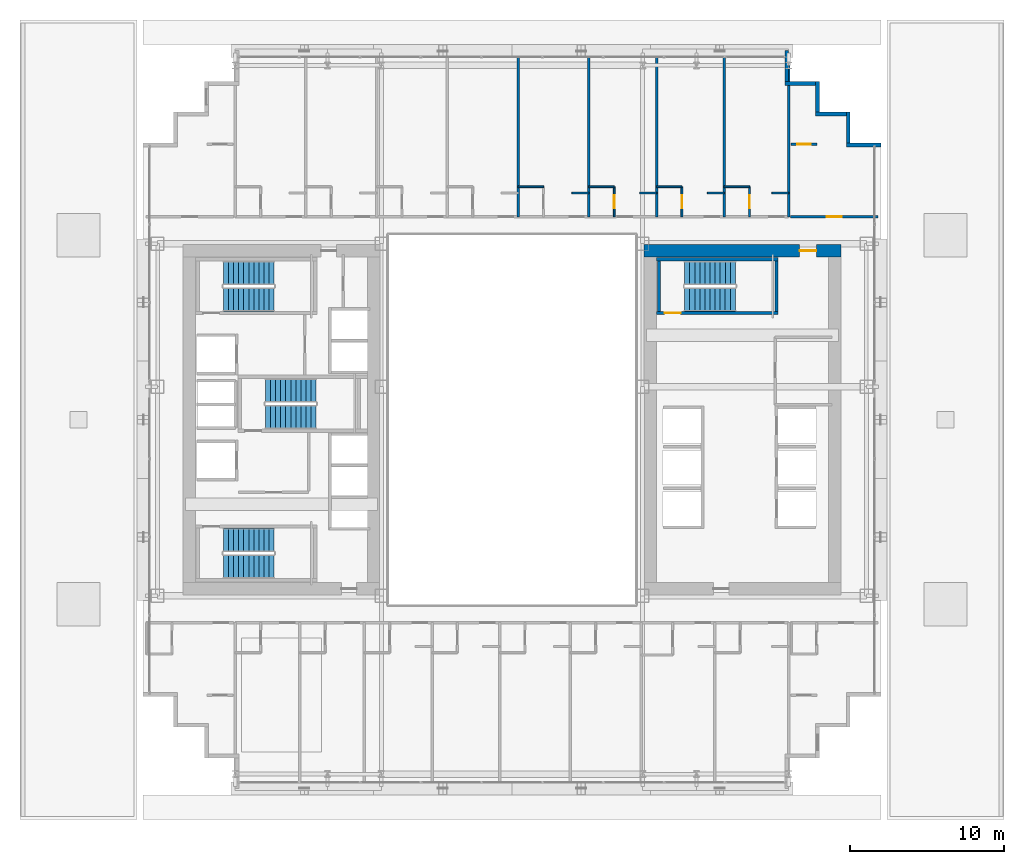
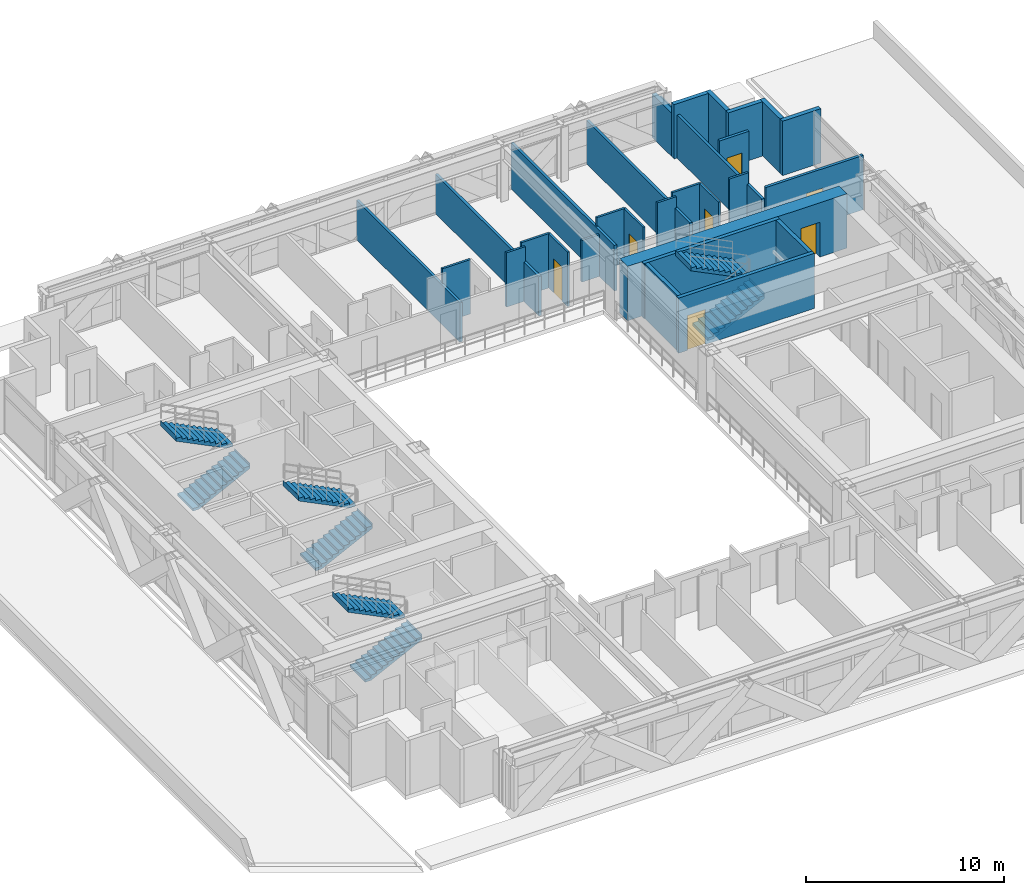
# One storey, part 30 of 35: 29 walls, 8 stair flights, 7 doors, 7 openings, 4 elements without a shape of their own.
"""IFC4 building model written with IfcOpenShell, lengths in metres."""

from ifc_helpers import new_model, si_unit, direction, frame, frame_2d, origin, place, context, subcontext, project, spatial, polyline, rectangle, outline, extrude, source, transform, mapped, material, layer, layer_set, type_object, element, fill, aggregate, save


model = new_model("IFC4")

# Units and contexts
model_context = context("Model", 3, precision=1e-05, world=origin(), true_north=direction((0.0, 1.0)))
body_context = subcontext(model_context, "Body", "Model", "MODEL_VIEW")
ifc_project = project(units=[si_unit("LENGTHUNIT", "METRE"), si_unit("AREAUNIT", "SQUARE_METRE"), si_unit("VOLUMEUNIT", "CUBIC_METRE"), si_unit("PLANEANGLEUNIT", "RADIAN"), si_unit("MASSUNIT", "GRAM", prefix="KILO")], contexts=[model_context])

# Site, building, storey
site_placement = place(None, origin())
site = spatial("IfcSite", under=ifc_project, at=site_placement, CompositionType="ELEMENT")
building_placement = place(site_placement, origin())
building = spatial("IfcBuilding", under=site, at=building_placement, Name="Ocotamira Hotel", CompositionType="ELEMENT")
storey_placement = place(building_placement, frame((0.0, 0.0, 34.800048828125)))
storey = spatial("IfcBuildingStorey", under=building, at=storey_placement, Name="L07", CompositionType="ELEMENT", Elevation=34.800048828125)

# Wall, opening, door
ifc_material_1 = material(Name="Concrete C60/75", Category="concrete")
ifc_layer_1 = layer(ifc_material_1, 0.800048828125)
ifc_layer_set_1 = layer_set([ifc_layer_1], Name="Concrete C60/75")
wall_type_1 = type_object("IfcWallType", Name="WL-CORE-800", PredefinedType="SHEAR", material=ifc_layer_set_1)
wall_1_placement = place(storey_placement, frame((40.60009765625, 37.0, 0.0), z_axis=(0.0, 0.0, 1.0), x_axis=(1.0, 0.0, 0.0)))
wall_1 = element("IfcWall", 1, at=wall_1_placement, inside=storey, type_object=wall_type_1, Name="L07 Shear Core Wall ECORE-N", PredefinedType="SHEAR", context=body_context, shape_type="SweptSolid", body=[
    extrude(rectangle(XDim=12.7998046875, YDim=0.800048828125, at=frame_2d((6.39990234375, 0.0))), origin(), (0.0, 0.0, 1.0), 3.349853515625),
])
opening_1_placement = place(wall_1_placement, frame((10.10009765625, 0.0, 0.0)))
opening_1 = element("IfcOpeningElement", 2, at=opening_1_placement, cuts=wall_1, Name="Opening D-FR1", PredefinedType="OPENING", context=body_context, shape_type="SweptSolid", body=[
    extrude(rectangle(XDim=1.10009765625, YDim=2.14990234375, at=frame_2d((0.550048828125, 1.074951171875))), frame((0.0, 0.41015625, 0.0), z_axis=(0.0, -1.0, 0.0), x_axis=(1.0, 0.0, 0.0)), (0.0, 0.0, 1.0), 0.820068359375),
])
ifc_material_2 = material(Name="Fire-rated acoustic timber-veneer door", Category="wood")
door_type_1 = type_object("IfcDoorType", Name="DR-FIRE-1100", OperationType="NOTDEFINED", PredefinedType="DOOR", material=ifc_material_2)
shared_shape_1 = source(origin(), body_context, "Body", "SweptSolid", [
    extrude(rectangle(XDim=1.10009765625, YDim=2.14990234375, at=frame_2d((0.550048828125, 1.074951171875))), frame((0.0, 0.02490234375, 0.0), z_axis=(0.0, -1.0, 0.0), x_axis=(1.0, 0.0, 0.0)), (0.0, 0.0, 1.0), 0.050048828125),
])
door_1_placement = place(opening_1_placement, origin())
door_1 = element("IfcDoor", 3, at=door_1_placement, inside=storey, type_object=door_type_1, Name="L07 Door ID-L07-ELOB-N-D [ID-L07-ELOB-N-D]", OperationType="SINGLE_SWING_LEFT", OverallHeight=2.14990234375, OverallWidth=1.10009765625, PredefinedType="DOOR", context=body_context, shape_type="MappedRepresentation", body=[
    mapped(shared_shape_1, transform((0.0, 0.0, 0.0), scale=1.0)),
])
fill(opening_1, door_1)

# Walls
ifc_material_3 = material(Name="Precast concrete C45/55", Category="concrete")
ifc_layer_2 = layer(ifc_material_3, 0.25)
ifc_layer_set_2 = layer_set([ifc_layer_2], Name="Precast concrete C45/55")
wall_type_2 = type_object("IfcWallType", Name="WL-EXT-SER-250", PredefinedType="SOLIDWALL", material=ifc_layer_set_2)
wall_2_placement = place(storey_placement, frame((56.0, 43.875, 0.0), z_axis=(0.0, 0.0, 1.0), x_axis=(-1.0, 0.0, 0.0)))
element("IfcWall", 4, at=wall_2_placement, inside=storey, type_object=wall_type_2, Name="L07 Serrated Corner Wall 07", PredefinedType="SOLIDWALL", context=body_context, shape_type="SweptSolid", body=[
    extrude(rectangle(XDim=2.25, YDim=0.25, at=frame_2d((1.125, 0.0))), origin(), (0.0, 0.0, 1.0), 3.349853515625),
])
for number, where, z_axis, x_axis, name in (
    (5, (53.875, 44.0, 0.0), (0.0, 0.0, 1.0), (0.0, 1.0, 0.0), "L07 Serrated Corner Wall 08"),
    (6, (53.75, 45.875, 0.0), (0.0, 0.0, 1.0), (-1.0, 0.0, 0.0), "L07 Serrated Corner Wall 09"),
    (7, (51.875, 46.0, 0.0), (0.0, 0.0, 1.0), (0.0, 1.0, 0.0), "L07 Serrated Corner Wall 10"),
    (8, (51.75, 47.875, 0.0), (0.0, 0.0, 1.0), (-1.0, 0.0, 0.0), "L07 Serrated Corner Wall 11"),
):
    element("IfcWall", number, at=place(storey_placement, frame(where, z_axis=z_axis, x_axis=x_axis)), inside=storey, type_object=wall_type_2, Name=name, PredefinedType="SOLIDWALL", context=body_context, shape_type="SweptSolid", body=[
        extrude(rectangle(XDim=2.0, YDim=0.25, at=frame_2d((1.0, 0.0))), origin(), (0.0, 0.0, 1.0), 3.349853515625),
    ])
wall_3_placement = place(storey_placement, frame((49.875, 48.0, 0.0), z_axis=(0.0, 0.0, 1.0), x_axis=(0.0, 1.0, 0.0)))
element("IfcWall", 9, at=wall_3_placement, inside=storey, type_object=wall_type_2, Name="L07 Serrated Corner Wall 12", PredefinedType="SOLIDWALL", context=body_context, shape_type="SweptSolid", body=[
    extrude(rectangle(XDim=2.0, YDim=0.25, at=frame_2d((1.0, 0.0))), origin(), (0.0, 0.0, 1.0), 2.656982421875),
])

# Wall, opening, door
ifc_material_4 = material(Name="Acoustic double-layer fire gypsum board partition", Category="gypsum")
ifc_layer_3 = layer(ifc_material_4, 0.159912109375)
ifc_layer_set_3 = layer_set([ifc_layer_3], Name="Acoustic double-layer fire gypsum board partition")
wall_type_3 = type_object("IfcWallType", Name="WL-FIRE-160", PredefinedType="PARTITIONING", material=ifc_layer_set_3)
wall_4_placement = place(storey_placement, frame((50.1201171875, 39.199951171875, 0.0), z_axis=(0.0, 0.0, 1.0), x_axis=(1.0, 0.0, 0.0)))
wall_4 = element("IfcWall", 10, at=wall_4_placement, inside=storey, type_object=wall_type_3, Name="L07 Interior Wall PW-L07-Z1A-CNE-CW", PredefinedType="PARTITIONING", context=body_context, shape_type="SweptSolid", body=[
    extrude(rectangle(XDim=5.679931640625, YDim=0.159912109375, at=frame_2d((2.83984375, 0.0))), origin(), (0.0, 0.0, 1.0), 3.349853515625),
])
opening_2_placement = place(wall_4_placement, frame((2.360107421875, 0.0, 0.0)))
opening_2 = element("IfcOpeningElement", 11, at=opening_2_placement, cuts=wall_4, Name="Opening D-SV4", PredefinedType="OPENING", context=body_context, shape_type="SweptSolid", body=[
    extrude(rectangle(XDim=0.9599609375, YDim=2.14990234375, at=frame_2d((0.47998046875, 1.074951171875))), frame((0.0, 0.08984375, 0.0), z_axis=(0.0, -1.0, 0.0), x_axis=(1.0, 0.0, 0.0)), (0.0, 0.0, 1.0), 0.179931640625),
])
ifc_material_5 = material(Name="Fire-rated accessible walnut salon door", Category="wood")
door_type_2 = type_object("IfcDoorType", Name="DR-SERV-960", OperationType="NOTDEFINED", PredefinedType="DOOR", material=ifc_material_5)
shared_shape_2 = source(origin(), body_context, "Body", "SweptSolid", [
    extrude(rectangle(XDim=0.9599609375, YDim=2.14990234375, at=frame_2d((0.47998046875, 1.074951171875))), frame((0.0, 0.02490234375, 0.0), z_axis=(0.0, -1.0, 0.0), x_axis=(1.0, 0.0, 0.0)), (0.0, 0.0, 1.0), 0.050048828125),
])
door_2_placement = place(opening_2_placement, origin())
door_2 = element("IfcDoor", 12, at=door_2_placement, inside=storey, type_object=door_type_2, Name="L07 Door ID-L07-Z1A-CNE-CD [ID-L07-Z1A-CNE-CD]", OperationType="SINGLE_SWING_LEFT", OverallHeight=2.14990234375, OverallWidth=0.9599609375, PredefinedType="DOOR", context=body_context, shape_type="MappedRepresentation", body=[
    mapped(shared_shape_2, transform((0.0, 0.0, 0.0), scale=1.0)),
])
fill(opening_2, door_2)

wall_5_placement = place(storey_placement, frame((50.14990234375, 43.919921875, 0.0), z_axis=(0.0, 0.0, 1.0), x_axis=(1.0, 0.0, 0.0)))
wall_5 = element("IfcWall", 13, at=wall_5_placement, inside=storey, type_object=wall_type_3, Name="L07 Interior Wall PW-L07-Z1A-CNE2-CW", PredefinedType="PARTITIONING", context=body_context, shape_type="SweptSolid", body=[
    extrude(rectangle(XDim=1.7001953125, YDim=0.159912109375, at=frame_2d((0.85009765625, 0.0))), origin(), (0.0, 0.0, 1.0), 3.349853515625),
])
opening_3_placement = place(wall_5_placement, frame((0.409912109375, 0.0, 0.0)))
opening_3 = element("IfcOpeningElement", 14, at=opening_3_placement, cuts=wall_5, Name="Opening D-SV2", PredefinedType="OPENING", context=body_context, shape_type="SweptSolid", body=[
    extrude(rectangle(XDim=0.8798828125, YDim=2.14990234375, at=frame_2d((0.43994140625, 1.074951171875))), frame((0.0, 0.08984375, 0.0), z_axis=(0.0, -1.0, 0.0), x_axis=(1.0, 0.0, 0.0)), (0.0, 0.0, 1.0), 0.179931640625),
])
ifc_material_6 = material(Name="Fire-rated painted steel service door", Category="steel")
door_type_3 = type_object("IfcDoorType", Name="DR-SERV-880", OperationType="NOTDEFINED", PredefinedType="DOOR", material=ifc_material_6)
shared_shape_3 = source(origin(), body_context, "Body", "SweptSolid", [
    extrude(rectangle(XDim=0.8798828125, YDim=2.14990234375, at=frame_2d((0.43994140625, 1.074951171875))), frame((0.0, 0.02490234375, 0.0), z_axis=(0.0, -1.0, 0.0), x_axis=(1.0, 0.0, 0.0)), (0.0, 0.0, 1.0), 0.050048828125),
])
door_3_placement = place(opening_3_placement, origin())
door_3 = element("IfcDoor", 15, at=door_3_placement, inside=storey, type_object=door_type_3, Name="L07 Door ID-L07-Z1A-CNE2-CD [ID-L07-Z1A-CNE2-CD]", OperationType="SINGLE_SWING_LEFT", OverallHeight=2.14990234375, OverallWidth=0.8798828125, PredefinedType="DOOR", context=body_context, shape_type="MappedRepresentation", body=[
    mapped(shared_shape_3, transform((0.0, 0.0, 0.0), scale=1.0)),
])
fill(opening_3, door_3)

# Walls
ifc_material_7 = material(Name="Moisture-resistant en-suite tile and gypsum partition", Category="gypsum")
ifc_layer_4 = layer(ifc_material_7, 0.1201171875)
ifc_layer_set_4 = layer_set([ifc_layer_4], Name="Moisture-resistant en-suite tile and gypsum partition")
wall_type_4 = type_object("IfcWallType", Name="WL-PART-120", PredefinedType="PARTITIONING", material=ifc_layer_set_4)
wall_6_placement = place(storey_placement, frame((32.39990234375, 41.14990234375, 0.0), z_axis=(0.0, 0.0, 1.0), x_axis=(1.0, 0.0, 0.0)))
element("IfcWall", 16, at=wall_6_placement, inside=storey, type_object=wall_type_4, Name="L07 Interior Wall PW-L07-Z1AN-BAN5", PredefinedType="PARTITIONING", context=body_context, shape_type="SweptSolid", body=[
    extrude(rectangle(XDim=1.650146484375, YDim=0.1201171875, at=frame_2d((0.8251953125, 0.0))), origin(), (0.0, 0.0, 1.0), 3.349853515625),
])
wall_7_placement = place(storey_placement, frame((35.89990234375, 40.75, 0.0), z_axis=(0.0, 0.0, 1.0), x_axis=(1.0, 0.0, 0.0)))
element("IfcWall", 17, at=wall_7_placement, inside=storey, type_object=wall_type_4, Name="L07 Interior Wall PW-L07-Z1AN-DRN5", PredefinedType="PARTITIONING", context=body_context, shape_type="SweptSolid", body=[
    extrude(rectangle(XDim=1.10009765625, YDim=0.1201171875, at=frame_2d((0.550048828125, 0.0))), origin(), (0.0, 0.0, 1.0), 3.349853515625),
])

# Wall, opening, door
wall_8_placement = place(storey_placement, frame((38.64990234375, 39.199951171875, 0.0), z_axis=(0.0, 0.0, 1.0), x_axis=(0.0, 1.0, 0.0)))
wall_8 = element("IfcWall", 18, at=wall_8_placement, inside=storey, type_object=wall_type_4, Name="L07 Interior Wall PW-L07-Z1AN-BAE6", PredefinedType="PARTITIONING", context=body_context, shape_type="SweptSolid", body=[
    extrude(rectangle(XDim=1.949951171875, YDim=0.1201171875, at=frame_2d((0.97509765625, 0.0))), origin(), (0.0, 0.0, 1.0), 3.349853515625),
])
opening_4_placement = place(wall_8_placement, frame((0.544921875, 0.0, 0.0)))
opening_4 = element("IfcOpeningElement", 19, at=opening_4_placement, cuts=wall_8, Name="Opening D-BA1", PredefinedType="OPENING", context=body_context, shape_type="SweptSolid", body=[
    extrude(rectangle(XDim=0.860107421875, YDim=2.10009765625, at=frame_2d((0.43017578125, 1.050048828125))), frame((0.0, 0.070068359375, 0.0), z_axis=(0.0, -1.0, 0.0), x_axis=(1.0, 0.0, 0.0)), (0.0, 0.0, 1.0), 0.14013671875),
])
ifc_material_8 = material(Name="Moisture-sealed en-suite timber door", Category="wood")
door_type_4 = type_object("IfcDoorType", Name="DR-BATH-860", OperationType="NOTDEFINED", PredefinedType="DOOR", material=ifc_material_8)
shared_shape_4 = source(origin(), body_context, "Body", "SweptSolid", [
    extrude(rectangle(XDim=0.860107421875, YDim=2.10009765625, at=frame_2d((0.43017578125, 1.050048828125))), frame((0.0, 0.02490234375, 0.0), z_axis=(0.0, -1.0, 0.0), x_axis=(1.0, 0.0, 0.0)), (0.0, 0.0, 1.0), 0.050048828125),
])
door_4_placement = place(opening_4_placement, origin())
door_4 = element("IfcDoor", 20, at=door_4_placement, inside=storey, type_object=door_type_4, Name="L07 Door ID-L07-Z1AN-BAD6 [ID-L07-Z1AN-BAD6]", OperationType="SINGLE_SWING_LEFT", OverallHeight=2.10009765625, OverallWidth=0.860107421875, PredefinedType="DOOR", context=body_context, shape_type="MappedRepresentation", body=[
    mapped(shared_shape_4, transform((0.0, 0.0, 0.0), scale=1.0)),
])
fill(opening_4, door_4)

# Walls
wall_9_placement = place(storey_placement, frame((37.0, 41.14990234375, 0.0), z_axis=(0.0, 0.0, 1.0), x_axis=(1.0, 0.0, 0.0)))
element("IfcWall", 21, at=wall_9_placement, inside=storey, type_object=wall_type_4, Name="L07 Interior Wall PW-L07-Z1AN-BAN6", PredefinedType="PARTITIONING", context=body_context, shape_type="SweptSolid", body=[
    extrude(rectangle(XDim=1.64990234375, YDim=0.1201171875, at=frame_2d((0.824951171875, 0.0))), origin(), (0.0, 0.0, 1.0), 3.349853515625),
])
wall_10_placement = place(storey_placement, frame((40.300048828125, 40.75, 0.0), z_axis=(0.0, 0.0, 1.0), x_axis=(1.0, 0.0, 0.0)))
element("IfcWall", 22, at=wall_10_placement, inside=storey, type_object=wall_type_4, Name="L07 Interior Wall PW-L07-Z1AN-DRN6", PredefinedType="PARTITIONING", context=body_context, shape_type="SweptSolid", body=[
    extrude(rectangle(XDim=1.099853515625, YDim=0.1201171875, at=frame_2d((0.5498046875, 0.0))), origin(), (0.0, 0.0, 1.0), 2.571044921875),
])

# Wall, opening, door
wall_11_placement = place(storey_placement, frame((43.050048828125, 39.199951171875, 0.0), z_axis=(0.0, 0.0, 1.0), x_axis=(0.0, 1.0, 0.0)))
wall_11 = element("IfcWall", 23, at=wall_11_placement, inside=storey, type_object=wall_type_4, Name="L07 Interior Wall PW-L07-Z1AN-BAE7", PredefinedType="PARTITIONING", context=body_context, shape_type="SweptSolid", body=[
    extrude(rectangle(XDim=1.949951171875, YDim=0.1201171875, at=frame_2d((0.97509765625, 0.0))), origin(), (0.0, 0.0, 1.0), 3.349853515625),
])
opening_5_placement = place(wall_11_placement, frame((0.544921875, 0.0, 0.0)))
opening_5 = element("IfcOpeningElement", 24, at=opening_5_placement, cuts=wall_11, Name="Opening D-BA1", PredefinedType="OPENING", context=body_context, shape_type="SweptSolid", body=[
    extrude(rectangle(XDim=0.860107421875, YDim=2.10009765625, at=frame_2d((0.43017578125, 1.050048828125))), frame((0.0, 0.070068359375, 0.0), z_axis=(0.0, -1.0, 0.0), x_axis=(1.0, 0.0, 0.0)), (0.0, 0.0, 1.0), 0.14013671875),
])
door_5_placement = place(opening_5_placement, origin())
door_5 = element("IfcDoor", 25, at=door_5_placement, inside=storey, type_object=door_type_4, Name="L07 Door ID-L07-Z1AN-BAD7 [ID-L07-Z1AN-BAD7]", OperationType="SINGLE_SWING_RIGHT", OverallHeight=2.10009765625, OverallWidth=0.860107421875, PredefinedType="DOOR", context=body_context, shape_type="MappedRepresentation", body=[
    mapped(shared_shape_4, transform((0.0, 0.0, 0.0), scale=1.0)),
])
fill(opening_5, door_5)

# Walls
wall_12_placement = place(storey_placement, frame((41.39990234375, 41.14990234375, 0.0), z_axis=(0.0, 0.0, 1.0), x_axis=(1.0, 0.0, 0.0)))
element("IfcWall", 26, at=wall_12_placement, inside=storey, type_object=wall_type_4, Name="L07 Interior Wall PW-L07-Z1AN-BAN7", PredefinedType="PARTITIONING", context=body_context, shape_type="SweptSolid", body=[
    extrude(rectangle(XDim=1.650146484375, YDim=0.1201171875, at=frame_2d((0.8251953125, 0.0))), origin(), (0.0, 0.0, 1.0), 3.349853515625),
])
wall_13_placement = place(storey_placement, frame((44.699951171875, 40.75, 0.0), z_axis=(0.0, 0.0, 1.0), x_axis=(1.0, 0.0, 0.0)))
element("IfcWall", 27, at=wall_13_placement, inside=storey, type_object=wall_type_4, Name="L07 Interior Wall PW-L07-Z1AN-DRN7", PredefinedType="PARTITIONING", context=body_context, shape_type="SweptSolid", body=[
    extrude(rectangle(XDim=1.10009765625, YDim=0.1201171875, at=frame_2d((0.550048828125, 0.0))), origin(), (0.0, 0.0, 1.0), 3.349853515625),
])

# Wall, opening, door
wall_14_placement = place(storey_placement, frame((47.449951171875, 39.199951171875, 0.0), z_axis=(0.0, 0.0, 1.0), x_axis=(0.0, 1.0, 0.0)))
wall_14 = element("IfcWall", 28, at=wall_14_placement, inside=storey, type_object=wall_type_4, Name="L07 Interior Wall PW-L07-Z1AN-BAE8", PredefinedType="PARTITIONING", context=body_context, shape_type="SweptSolid", body=[
    extrude(rectangle(XDim=1.949951171875, YDim=0.1201171875, at=frame_2d((0.97509765625, 0.0))), origin(), (0.0, 0.0, 1.0), 3.349853515625),
])
opening_6_placement = place(wall_14_placement, frame((0.544921875, 0.0, 0.0)))
opening_6 = element("IfcOpeningElement", 29, at=opening_6_placement, cuts=wall_14, Name="Opening D-BA1", PredefinedType="OPENING", context=body_context, shape_type="SweptSolid", body=[
    extrude(rectangle(XDim=0.860107421875, YDim=2.10009765625, at=frame_2d((0.43017578125, 1.050048828125))), frame((0.0, 0.070068359375, 0.0), z_axis=(0.0, -1.0, 0.0), x_axis=(1.0, 0.0, 0.0)), (0.0, 0.0, 1.0), 0.14013671875),
])
door_6_placement = place(opening_6_placement, origin())
door_6 = element("IfcDoor", 30, at=door_6_placement, inside=storey, type_object=door_type_4, Name="L07 Door ID-L07-Z1AN-BAD8 [ID-L07-Z1AN-BAD8]", OperationType="SINGLE_SWING_LEFT", OverallHeight=2.10009765625, OverallWidth=0.860107421875, PredefinedType="DOOR", context=body_context, shape_type="MappedRepresentation", body=[
    mapped(shared_shape_4, transform((0.0, 0.0, 0.0), scale=1.0)),
])
fill(opening_6, door_6)

# Walls
wall_15_placement = place(storey_placement, frame((45.800048828125, 41.14990234375, 0.0), z_axis=(0.0, 0.0, 1.0), x_axis=(1.0, 0.0, 0.0)))
element("IfcWall", 31, at=wall_15_placement, inside=storey, type_object=wall_type_4, Name="L07 Interior Wall PW-L07-Z1AN-BAN8", PredefinedType="PARTITIONING", context=body_context, shape_type="SweptSolid", body=[
    extrude(rectangle(XDim=1.64990234375, YDim=0.1201171875, at=frame_2d((0.824951171875, 0.0))), origin(), (0.0, 0.0, 1.0), 3.349853515625),
])
wall_16_placement = place(storey_placement, frame((48.89990234375, 40.75, 0.0), z_axis=(0.0, 0.0, 1.0), x_axis=(1.0, 0.0, 0.0)))
element("IfcWall", 32, at=wall_16_placement, inside=storey, type_object=wall_type_4, Name="L07 Interior Wall PW-L07-Z1AN-DRN8", PredefinedType="PARTITIONING", context=body_context, shape_type="SweptSolid", body=[
    extrude(rectangle(XDim=1.10009765625, YDim=0.1201171875, at=frame_2d((0.550048828125, 0.0))), origin(), (0.0, 0.0, 1.0), 3.349853515625),
])
ifc_material_9 = material(Name="Acoustic double-stud hospitality gypsum partition", Category="gypsum")
ifc_layer_5 = layer(ifc_material_9, 0.159912109375)
ifc_layer_set_5 = layer_set([ifc_layer_5], Name="Acoustic double-stud hospitality gypsum partition")
wall_type_5 = type_object("IfcWallType", Name="WL-PART-160", PredefinedType="PARTITIONING", material=ifc_layer_set_5)
wall_17_placement = place(storey_placement, frame((50.0, 39.199951171875, 0.0), z_axis=(0.0, 0.0, 1.0), x_axis=(0.0, 1.0, 0.0)))
element("IfcWall", 33, at=wall_17_placement, inside=storey, type_object=wall_type_5, Name="L07 Interior Wall PW-L07-Z1AN-PWEND", PredefinedType="PARTITIONING", context=body_context, shape_type="SweptSolid", body=[
    extrude(rectangle(XDim=10.43994140625, YDim=0.159912109375, at=frame_2d((5.219970703125, 0.0))), origin(), (0.0, 0.0, 1.0), 2.656982421875),
])
for number, where, z_axis, x_axis, name in (
    (34, (32.39990234375, 39.199951171875, 0.0), (0.0, 0.0, 1.0), (0.0, 1.0, 0.0), "L07 Interior Wall PW-L07-Z1AN-PW4"),
    (35, (37.0, 39.199951171875, 0.0), (0.0, 0.0, 1.0), (0.0, 1.0, 0.0), "L07 Interior Wall PW-L07-Z1AN-PW5"),
):
    element("IfcWall", number, at=place(storey_placement, frame(where, z_axis=z_axis, x_axis=x_axis)), inside=storey, type_object=wall_type_5, Name=name, PredefinedType="PARTITIONING", context=body_context, shape_type="SweptSolid", body=[
        extrude(rectangle(XDim=10.43994140625, YDim=0.159912109375, at=frame_2d((5.219970703125, 0.0))), origin(), (0.0, 0.0, 1.0), 2.4228515625),
    ])
wall_18_placement = place(storey_placement, frame((41.39990234375, 39.199951171875, 0.0), z_axis=(0.0, 0.0, 1.0), x_axis=(0.0, 1.0, 0.0)))
element("IfcWall", 36, at=wall_18_placement, inside=storey, type_object=wall_type_5, Name="L07 Interior Wall PW-L07-Z1AN-PW6", PredefinedType="PARTITIONING", context=body_context, shape_type="SweptSolid", body=[
    extrude(rectangle(XDim=10.43994140625, YDim=0.159912109375, at=frame_2d((5.219970703125, 0.0))), origin(), (0.0, 0.0, 1.0), 2.81298828125),
])
wall_19_placement = place(storey_placement, frame((45.800048828125, 39.199951171875, 0.0), z_axis=(0.0, 0.0, 1.0), x_axis=(0.0, 1.0, 0.0)))
element("IfcWall", 37, at=wall_19_placement, inside=storey, type_object=wall_type_5, Name="L07 Interior Wall PW-L07-Z1AN-PW7", PredefinedType="PARTITIONING", context=body_context, shape_type="SweptSolid", body=[
    extrude(rectangle(XDim=10.43994140625, YDim=0.159912109375, at=frame_2d((5.219970703125, 0.0))), origin(), (0.0, 0.0, 1.0), 2.656982421875),
])

# Wall, opening, door
ifc_material_10 = material(Name="Concrete C50/60", Category="concrete")
ifc_layer_6 = layer(ifc_material_10, 0.219970703125)
ifc_layer_set_6 = layer_set([ifc_layer_6], Name="Concrete C50/60")
wall_type_6 = type_object("IfcWallType", Name="WL-STAIR-220", PredefinedType="SHEAR", material=ifc_layer_set_6)
wall_20_placement = place(storey_placement, frame((41.39990234375, 32.93994140625, 0.0), z_axis=(0.0, 0.0, 1.0), x_axis=(1.0, 0.0, 0.0)))
wall_20 = element("IfcWall", 38, at=wall_20_placement, inside=storey, type_object=wall_type_6, Name="L07 Stair Shaft Structural Wall ST-4-S", PredefinedType="SHEAR", context=body_context, shape_type="SweptSolid", body=[
    extrude(rectangle(XDim=7.91015625, YDim=0.219970703125, at=frame_2d((3.955078125, 0.0))), origin(), (0.0, 0.0, 1.0), 3.39990234375),
])
opening_7_placement = place(wall_20_placement, frame((0.52001953125, 0.0, 0.0)))
opening_7 = element("IfcOpeningElement", 39, at=opening_7_placement, cuts=wall_20, Name="Opening D-ST2", PredefinedType="OPENING", context=body_context, shape_type="SweptSolid", body=[
    extrude(rectangle(XDim=1.050048828125, YDim=2.14990234375, at=frame_2d((0.52490234375, 1.074951171875))), frame((0.0, 0.1201171875, 0.0), z_axis=(0.0, -1.0, 0.0), x_axis=(1.0, 0.0, 0.0)), (0.0, 0.0, 1.0), 0.239990234375),
])
ifc_material_11 = material(Name="Insulated painted hollow-metal fire exit door", Category="steel")
door_type_5 = type_object("IfcDoorType", Name="DR-STAIR-1050", OperationType="NOTDEFINED", PredefinedType="DOOR", material=ifc_material_11)
shared_shape_5 = source(origin(), body_context, "Body", "SweptSolid", [
    extrude(rectangle(XDim=1.050048828125, YDim=2.14990234375, at=frame_2d((0.52490234375, 1.074951171875))), frame((0.0, 0.02490234375, 0.0), z_axis=(0.0, -1.0, 0.0), x_axis=(1.0, 0.0, 0.0)), (0.0, 0.0, 1.0), 0.050048828125),
])
door_7_placement = place(opening_7_placement, origin())
door_7 = element("IfcDoor", 40, at=door_7_placement, inside=storey, type_object=door_type_5, Name="L07 Door ID-L07-STD-ST-4 [ID-L07-STD-ST-4]", OperationType="SINGLE_SWING_LEFT", OverallHeight=2.14990234375, OverallWidth=1.050048828125, PredefinedType="DOOR", context=body_context, shape_type="MappedRepresentation", body=[
    mapped(shared_shape_5, transform((0.0, 0.0, 0.0), scale=1.0)),
])
fill(opening_7, door_7)

# Walls
wall_21_placement = place(storey_placement, frame((41.39990234375, 36.43994140625, 0.0), z_axis=(0.0, 0.0, 1.0), x_axis=(1.0, 0.0, 0.0)))
element("IfcWall", 41, at=wall_21_placement, inside=storey, type_object=wall_type_6, Name="L07 Stair Shaft Structural Wall ST-4-N", PredefinedType="SHEAR", context=body_context, shape_type="SweptSolid", body=[
    extrude(rectangle(XDim=7.91015625, YDim=0.219970703125, at=frame_2d((3.955078125, 0.0))), origin(), (0.0, 0.0, 1.0), 3.39990234375),
])
for number, where, z_axis, x_axis, name in (
    (42, (41.56005859375, 33.050048828125, 0.0), (0.0, 0.0, 1.0), (0.0, 1.0, 0.0), "L07 Stair Shaft Structural Wall ST-4-W"),
    (43, (49.199951171875, 33.050048828125, 0.0), (0.0, 0.0, 1.0), (0.0, 1.0, 0.0), "L07 Stair Shaft Structural Wall ST-4-E"),
):
    element("IfcWall", number, at=place(storey_placement, frame(where, z_axis=z_axis, x_axis=x_axis)), inside=storey, type_object=wall_type_6, Name=name, PredefinedType="SHEAR", context=body_context, shape_type="SweptSolid", body=[
        extrude(rectangle(XDim=3.280029296875, YDim=0.219970703125, at=frame_2d((1.64013671875, 0.0))), origin(), (0.0, 0.0, 1.0), 3.39990234375),
    ])

# Stair, stair flights
ifc_material_12 = material(Name="Concrete C40/50", Category="concrete")
stair_type = type_object("IfcStairType", Name="ST-CORE-1560", PredefinedType="HALF_TURN_STAIR", material=ifc_material_12)
stair_1_placement = place(storey_placement, origin())
stair_1 = element("IfcStair", 44, at=stair_1_placement, inside=storey, type_object=stair_type, Name="L07 Exit Stair ST-1", PredefinedType="HALF_TURN_STAIR")
stair_flight_type = type_object("IfcStairFlightType", Name="STF-CORE-1560", PredefinedType="STRAIGHT", material=ifc_material_12)
shared_shape_6 = source(origin(), body_context, "Body", "SweptSolid", [
    extrude(outline(polyline([(-0.00390625, 0.0), (-0.00390625, 0.16357421875), (0.330078125, 0.16357421875), (0.330078125, 0.327392578125), (0.659912109375, 0.327392578125), (0.659912109375, 0.490966796875), (0.989990234375, 0.490966796875), (0.989990234375, 0.654541015625), (1.320068359375, 0.654541015625), (1.320068359375, 0.818115234375), (1.64990234375, 0.818115234375), (1.64990234375, 0.98193359375), (1.97998046875, 0.98193359375), (1.97998046875, 1.1455078125), (2.31005859375, 1.1455078125), (2.31005859375, 1.30908203125), (2.639892578125, 1.30908203125), (2.639892578125, 1.47265625), (2.969970703125, 1.47265625), (2.969970703125, 1.636474609375), (3.300048828125, 1.636474609375), (3.300048828125, 1.800048828125), (3.303955078125, 1.800048828125), (3.303955078125, 1.468994140625), (0.33740234375, 0.0), (-0.00390625, 0.0)])), frame((0.0, 0.780029296875, 0.0), z_axis=(0.0, -1.0, 0.0), x_axis=(1.0, 0.0, 0.0)), (0.0, 0.0, 1.0), 1.56005859375),
])
stair_flight_1_placement = place(storey_placement, frame((13.22998046875, 16.449951171875, 0.0), z_axis=(0.0, 0.0, 1.0), x_axis=(1.0, 0.0, 0.0)))
stair_flight_1 = element("IfcStairFlight", 45, at=stair_flight_1_placement, type_object=stair_flight_type, Name="ST-1 flight 1", NumberOfRisers=11, NumberOfTreads=10, PredefinedType="STRAIGHT", RiserHeight=0.163636364, TreadLength=0.33, context=body_context, shape_type="MappedRepresentation", body=[
    mapped(shared_shape_6, transform((0.0, 0.0, 0.0), scale=1.0)),
])
stair_flight_2_placement = place(storey_placement, frame((16.530029296875, 18.169921875, 1.800048828125), z_axis=(0.0, 0.0, 1.0), x_axis=(-1.0, 0.0, 0.0)))
stair_flight_2 = element("IfcStairFlight", 46, at=stair_flight_2_placement, type_object=stair_flight_type, Name="ST-1 flight 2", NumberOfRisers=11, NumberOfTreads=10, PredefinedType="STRAIGHT", RiserHeight=0.163636364, TreadLength=0.33, context=body_context, shape_type="MappedRepresentation", body=[
    mapped(shared_shape_6, transform((0.0, 0.0, 0.0), scale=1.0)),
])
aggregate(stair_1, [stair_flight_1, stair_flight_2])

stair_2_placement = place(storey_placement, origin())
stair_2 = element("IfcStair", 47, at=stair_2_placement, inside=storey, type_object=stair_type, Name="L07 Exit Stair ST-2", PredefinedType="HALF_TURN_STAIR")
stair_flight_3_placement = place(storey_placement, frame((13.22998046875, 33.830078125, 0.0), z_axis=(0.0, 0.0, 1.0), x_axis=(1.0, 0.0, 0.0)))
stair_flight_3 = element("IfcStairFlight", 48, at=stair_flight_3_placement, type_object=stair_flight_type, Name="ST-2 flight 1", NumberOfRisers=11, NumberOfTreads=10, PredefinedType="STRAIGHT", RiserHeight=0.163636364, TreadLength=0.33, context=body_context, shape_type="MappedRepresentation", body=[
    mapped(shared_shape_6, transform((0.0, 0.0, 0.0), scale=1.0)),
])
stair_flight_4_placement = place(storey_placement, frame((16.530029296875, 35.550048828125, 1.800048828125), z_axis=(0.0, 0.0, 1.0), x_axis=(-1.0, 0.0, 0.0)))
stair_flight_4 = element("IfcStairFlight", 49, at=stair_flight_4_placement, type_object=stair_flight_type, Name="ST-2 flight 2", NumberOfRisers=11, NumberOfTreads=10, PredefinedType="STRAIGHT", RiserHeight=0.163636364, TreadLength=0.33, context=body_context, shape_type="MappedRepresentation", body=[
    mapped(shared_shape_6, transform((0.0, 0.0, 0.0), scale=1.0)),
])
aggregate(stair_2, [stair_flight_3, stair_flight_4])

stair_3_placement = place(storey_placement, origin())
stair_3 = element("IfcStair", 50, at=stair_3_placement, inside=storey, type_object=stair_type, Name="L07 Exit Stair ST-3", PredefinedType="HALF_TURN_STAIR")
stair_flight_5_placement = place(storey_placement, frame((15.9599609375, 26.179931640625, 0.0), z_axis=(0.0, 0.0, 1.0), x_axis=(1.0, 0.0, 0.0)))
stair_flight_5 = element("IfcStairFlight", 51, at=stair_flight_5_placement, type_object=stair_flight_type, Name="ST-3 flight 1", NumberOfRisers=11, NumberOfTreads=10, PredefinedType="STRAIGHT", RiserHeight=0.163636364, TreadLength=0.33, context=body_context, shape_type="MappedRepresentation", body=[
    mapped(shared_shape_6, transform((0.0, 0.0, 0.0), scale=1.0)),
])
stair_flight_6_placement = place(storey_placement, frame((19.260009765625, 27.89990234375, 1.800048828125), z_axis=(0.0, 0.0, 1.0), x_axis=(-1.0, 0.0, 0.0)))
stair_flight_6 = element("IfcStairFlight", 52, at=stair_flight_6_placement, type_object=stair_flight_type, Name="ST-3 flight 2", NumberOfRisers=11, NumberOfTreads=10, PredefinedType="STRAIGHT", RiserHeight=0.163636364, TreadLength=0.33, context=body_context, shape_type="MappedRepresentation", body=[
    mapped(shared_shape_6, transform((0.0, 0.0, 0.0), scale=1.0)),
])
aggregate(stair_3, [stair_flight_5, stair_flight_6])

stair_4_placement = place(storey_placement, origin())
stair_4 = element("IfcStair", 53, at=stair_4_placement, inside=storey, type_object=stair_type, Name="L07 Exit Stair ST-4", PredefinedType="HALF_TURN_STAIR")
stair_flight_7_placement = place(storey_placement, frame((43.22998046875, 33.830078125, 0.0), z_axis=(0.0, 0.0, 1.0), x_axis=(1.0, 0.0, 0.0)))
stair_flight_7 = element("IfcStairFlight", 54, at=stair_flight_7_placement, type_object=stair_flight_type, Name="ST-4 flight 1", NumberOfRisers=11, NumberOfTreads=10, PredefinedType="STRAIGHT", RiserHeight=0.163636364, TreadLength=0.33, context=body_context, shape_type="MappedRepresentation", body=[
    mapped(shared_shape_6, transform((0.0, 0.0, 0.0), scale=1.0)),
])
stair_flight_8_placement = place(storey_placement, frame((46.530029296875, 35.550048828125, 1.800048828125), z_axis=(0.0, 0.0, 1.0), x_axis=(-1.0, 0.0, 0.0)))
stair_flight_8 = element("IfcStairFlight", 55, at=stair_flight_8_placement, type_object=stair_flight_type, Name="ST-4 flight 2", NumberOfRisers=11, NumberOfTreads=10, PredefinedType="STRAIGHT", RiserHeight=0.163636364, TreadLength=0.33, context=body_context, shape_type="MappedRepresentation", body=[
    mapped(shared_shape_6, transform((0.0, 0.0, 0.0), scale=1.0)),
])
aggregate(stair_4, [stair_flight_7, stair_flight_8])

save(model, "model.ifc")
